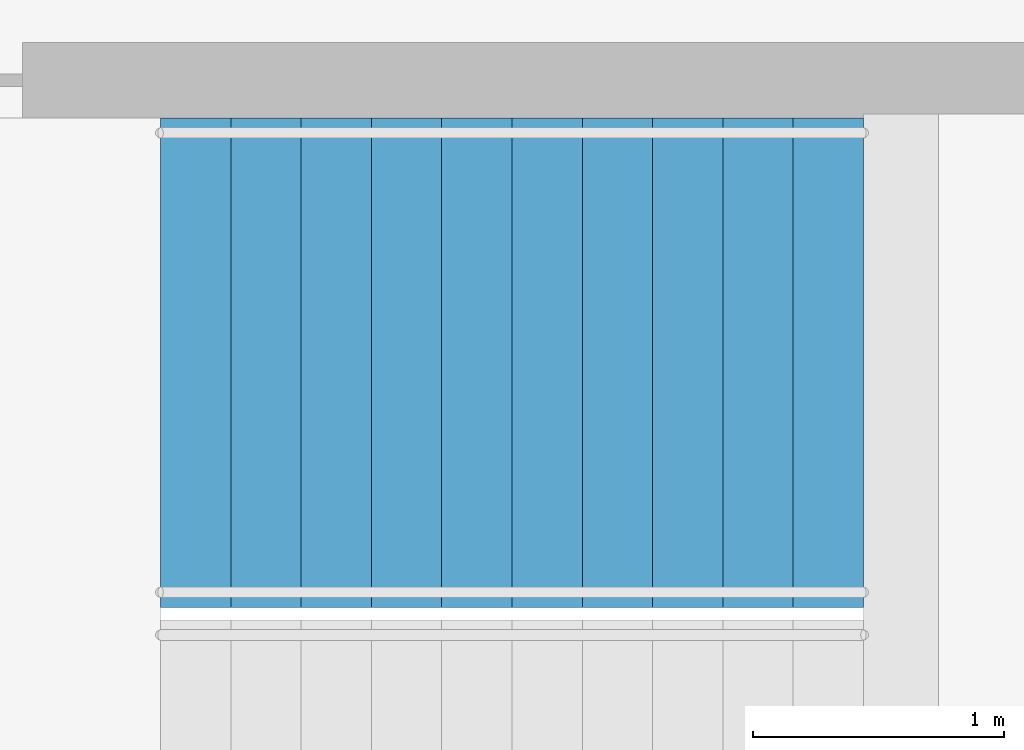
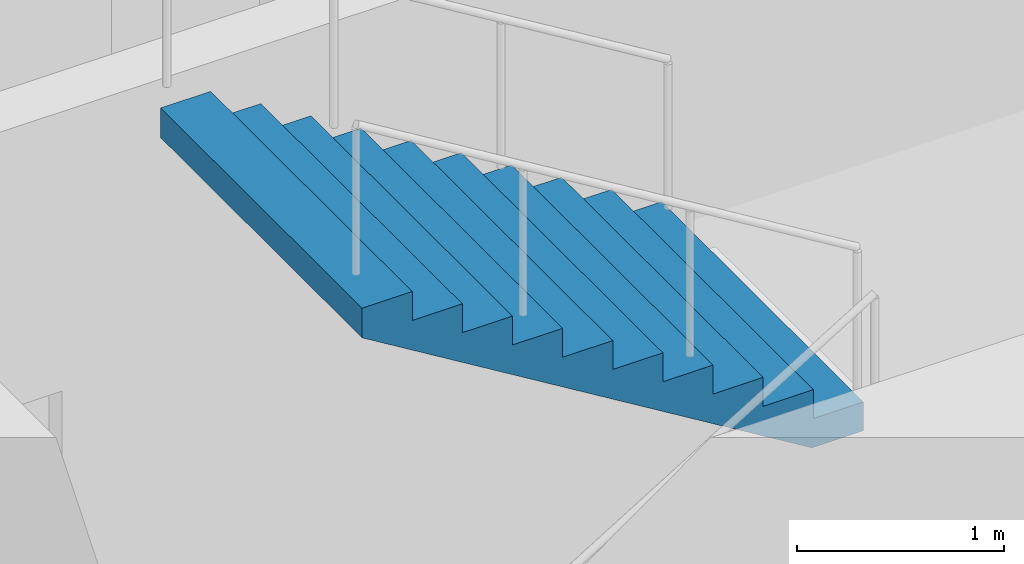
# One storey, part 19 of 22: 1 stair flight, 1 element without a shape of its own.
"""IFC4 building model written with IfcOpenShell, lengths in metres."""

from ifc_helpers import new_model, si_unit, direction, frame, origin, place, context, subcontext, project, spatial, triangles, material, type_object, element, aggregate, save


model = new_model("IFC4")

# Units and contexts
model_context = context("Model", 3, precision=1e-05, world=origin(), true_north=direction((0.0, 1.0)))
body_context = subcontext(model_context, "Body", "Model", "MODEL_VIEW")
ifc_project = project(units=[si_unit("LENGTHUNIT", "METRE"), si_unit("AREAUNIT", "SQUARE_METRE"), si_unit("VOLUMEUNIT", "CUBIC_METRE"), si_unit("PLANEANGLEUNIT", "RADIAN"), si_unit("MASSUNIT", "GRAM", prefix="KILO")], contexts=[model_context])

# Site, building, storey
site_placement = place(None, origin())
site = spatial("IfcSite", under=ifc_project, at=site_placement, CompositionType="ELEMENT")
building_placement = place(site_placement, origin())
building = spatial("IfcBuilding", under=site, at=building_placement, Name="Orbita Commons", CompositionType="ELEMENT")
storey_placement = place(building_placement, frame((0.0, 0.0, 57.699951171875)))
storey = spatial("IfcBuildingStorey", under=building, at=storey_placement, Name="L14", CompositionType="ELEMENT", Elevation=57.699951171875)

# Stair, stair flight
ifc_material_1 = material(Name="Precast concrete C40/50", Category="concrete")
stair_type = type_object("IfcStairType", Name="Exit stair S1 2 flights 11 risers 170", PredefinedType="HALF_TURN_STAIR", material=ifc_material_1)
stair_placement = place(storey_placement, origin())
stair = element("IfcStair", 1, at=stair_placement, inside=storey, type_object=stair_type, Name="Exit stair S1 L14", PredefinedType="HALF_TURN_STAIR")
ifc_material_2 = material(Name="Precast concrete C40/50", Category="concrete")
stair_flight_type = type_object("IfcStairFlightType", Name="Stair flight 11 risers 170 x 280", PredefinedType="STRAIGHT", material=ifc_material_2)
stair_flight_placement = place(storey_placement, frame((23.25, 29.27490234375, 1.875), z_axis=(0.0, 0.0, 1.0), x_axis=(-1.0, 0.0, 0.0)))
stair_flight = element("IfcStairFlight", 2, at=stair_flight_placement, type_object=stair_flight_type, Name="S1 flight 2", NumberOfRisers=11, NumberOfTreads=10, PredefinedType="STRAIGHT", RiserHeight=0.170454545, TreadLength=0.28, context=body_context, shape_type="Tessellation", body=[
    triangles([(0.0, 0.974976, 0.0), (0.0, 0.974976, 0.021307), (0.0, 0.81248, 0.021307), (0.0, 0.81248, 0.0), (0.0, 0.649984, 0.021307), (0.0, 0.649984, 0.0), (0.0, 0.487488, 0.021307), (0.0, 0.487488, 0.0), (0.0, 0.324992, 0.021307), (0.0, 0.324992, 0.0), (0.0, 0.162496, 0.021307), (0.0, 0.162496, 0.0), (0.0, 0.0, 0.021307), (0.0, 0.0, 0.0), (0.0, -0.162496, 0.021307), (0.0, -0.162496, 0.0), (0.0, -0.324992, 0.021307), (0.0, -0.324992, 0.0), (0.0, -0.487488, 0.021307), (0.0, -0.487488, 0.0), (0.0, -0.649984, 0.021307), (0.0, -0.649984, 0.0), (0.0, -0.81248, 0.021307), (0.0, -0.81248, 0.0), (0.0, -0.974976, 0.021307), (0.0, -0.974976, 0.0), (0.0, 0.974976, 0.042614), (0.0, 0.81248, 0.042614), (0.0, 0.649984, 0.042614), (0.0, 0.487488, 0.042614), (0.0, 0.324992, 0.042614), (0.0, 0.162496, 0.042614), (0.0, 0.0, 0.042614), (0.0, -0.162496, 0.042614), (0.0, -0.324992, 0.042614), (0.0, -0.487488, 0.042614), (0.0, -0.649984, 0.042614), (0.0, -0.81248, 0.042614), (0.0, -0.974976, 0.042614), (0.0, 0.974976, 0.06392), (0.0, 0.81248, 0.06392), (0.0, 0.649984, 0.06392), (0.0, 0.487488, 0.06392), (0.0, 0.324992, 0.06392), (0.0, 0.162496, 0.06392), (0.0, 0.0, 0.06392), (0.0, -0.162496, 0.06392), (0.0, -0.324992, 0.06392), (0.0, -0.487488, 0.06392), (0.0, -0.649984, 0.06392), (0.0, -0.81248, 0.06392), (0.0, -0.974976, 0.06392), (0.0, 0.974976, 0.085227), (0.0, 0.81248, 0.085227), (0.0, 0.649984, 0.085227), (0.0, 0.487488, 0.085227), (0.0, 0.324992, 0.085227), (0.0, 0.162496, 0.085227), (0.0, 0.0, 0.085227), (0.0, -0.162496, 0.085227), (0.0, -0.324992, 0.085227), (0.0, -0.487488, 0.085227), (0.0, -0.649984, 0.085227), (0.0, -0.81248, 0.085227), (0.0, -0.974976, 0.085227), (0.0, 0.974976, 0.106534), (0.0, 0.81248, 0.106534), (0.0, 0.649984, 0.106534), (0.0, 0.487488, 0.106534), (0.0, 0.324992, 0.106534), (0.0, 0.162496, 0.106534), (0.0, 0.0, 0.106534), (0.0, -0.162496, 0.106534), (0.0, -0.324992, 0.106534), (0.0, -0.487488, 0.106534), (0.0, -0.649984, 0.106534), (0.0, -0.81248, 0.106534), (0.0, -0.974976, 0.106534), (0.0, 0.974976, 0.127841), (0.0, 0.81248, 0.127841), (0.0, 0.649984, 0.127841), (0.0, 0.487488, 0.127841), (0.0, 0.324992, 0.127841), (0.0, 0.162496, 0.127841), (0.0, 0.0, 0.127841), (0.0, -0.162496, 0.127841), (0.0, -0.324992, 0.127841), (0.0, -0.487488, 0.127841), (0.0, -0.649984, 0.127841), (0.0, -0.81248, 0.127841), (0.0, -0.974976, 0.127841), (0.0, 0.974976, 0.149148), (0.0, 0.81248, 0.149148), (0.0, 0.649984, 0.149148), (0.0, 0.487488, 0.149148), (0.0, 0.324992, 0.149148), (0.0, 0.162496, 0.149148), (0.0, 0.0, 0.149148), (0.0, -0.162496, 0.149148), (0.0, -0.324992, 0.149148), (0.0, -0.487488, 0.149148), (0.0, -0.649984, 0.149148), (0.0, -0.81248, 0.149148), (0.0, -0.974976, 0.149148), (0.0, 0.974976, 0.170455), (0.0, 0.81248, 0.170455), (0.0, 0.649984, 0.170455), (0.0, 0.487488, 0.170455), (0.0, 0.324992, 0.170455), (0.0, 0.162496, 0.170455), (0.0, 0.0, 0.170455), (0.0, -0.162496, 0.170455), (0.0, -0.324992, 0.170455), (0.0, -0.487488, 0.170455), (0.0, -0.649984, 0.170455), (0.0, -0.81248, 0.170455), (0.0, -0.974976, 0.170455), (0.28, 0.974976, 0.170455), (0.28, 0.81248, 0.170455), (0.28, 0.649984, 0.170455), (0.28, 0.487488, 0.170455), (0.28, 0.324992, 0.170455), (0.28, 0.162496, 0.170455), (0.28, 0.0, 0.170455), (0.28, -0.162496, 0.170455), (0.28, -0.324992, 0.170455), (0.28, -0.487488, 0.170455), (0.28, -0.649984, 0.170455), (0.28, -0.81248, 0.170455), (0.28, -0.974976, 0.170455), (0.28, 0.974976, 0.340909), (0.28, 0.81248, 0.340909), (0.28, 0.649984, 0.340909), (0.28, 0.487488, 0.340909), (0.28, 0.324992, 0.340909), (0.28, 0.162496, 0.340909), (0.28, 0.0, 0.340909), (0.28, -0.162496, 0.340909), (0.28, -0.324992, 0.340909), (0.28, -0.487488, 0.340909), (0.28, -0.649984, 0.340909), (0.28, -0.81248, 0.340909), (0.28, -0.974976, 0.340909), (0.56, 0.974976, 0.340909), (0.56, 0.81248, 0.340909), (0.56, 0.649984, 0.340909), (0.56, 0.487488, 0.340909), (0.56, 0.324992, 0.340909), (0.56, 0.162496, 0.340909), (0.56, 0.0, 0.340909), (0.56, -0.162496, 0.340909), (0.56, -0.324992, 0.340909), (0.56, -0.487488, 0.340909), (0.56, -0.649984, 0.340909), (0.56, -0.81248, 0.340909), (0.56, -0.974976, 0.340909), (0.56, 0.974976, 0.511364), (0.56, 0.81248, 0.511364), (0.56, 0.649984, 0.511364), (0.56, 0.487488, 0.511364), (0.56, 0.324992, 0.511364), (0.56, 0.162496, 0.511364), (0.56, 0.0, 0.511364), (0.56, -0.162496, 0.511364), (0.56, -0.324992, 0.511364), (0.56, -0.487488, 0.511364), (0.56, -0.649984, 0.511364), (0.56, -0.81248, 0.511364), (0.56, -0.974976, 0.511364), (0.84, 0.974976, 0.511364), (0.84, 0.81248, 0.511364), (0.84, 0.649984, 0.511364), (0.84, 0.487488, 0.511364), (0.84, 0.324992, 0.511364), (0.84, 0.162496, 0.511364), (0.84, 0.0, 0.511364), (0.84, -0.162496, 0.511364), (0.84, -0.324992, 0.511364), (0.84, -0.487488, 0.511364), (0.84, -0.649984, 0.511364), (0.84, -0.81248, 0.511364), (0.84, -0.974976, 0.511364), (0.84, 0.974976, 0.681818), (0.84, 0.81248, 0.681818), (0.84, 0.649984, 0.681818), (0.84, 0.487488, 0.681818), (0.84, 0.324992, 0.681818), (0.84, 0.162496, 0.681818), (0.84, 0.0, 0.681818), (0.84, -0.162496, 0.681818), (0.84, -0.324992, 0.681818), (0.84, -0.487488, 0.681818), (0.84, -0.649984, 0.681818), (0.84, -0.81248, 0.681818), (0.84, -0.974976, 0.681818), (1.12, 0.974976, 0.681818), (1.12, 0.81248, 0.681818), (1.12, 0.649984, 0.681818), (1.12, 0.487488, 0.681818), (1.12, 0.324992, 0.681818), (1.12, 0.162496, 0.681818), (1.12, 0.0, 0.681818), (1.12, -0.162496, 0.681818), (1.12, -0.324992, 0.681818), (1.12, -0.487488, 0.681818), (1.12, -0.649984, 0.681818), (1.12, -0.81248, 0.681818), (1.12, -0.974976, 0.681818), (1.12, 0.974976, 0.852273), (1.12, 0.81248, 0.852273), (1.12, 0.649984, 0.852273), (1.12, 0.487488, 0.852273), (1.12, 0.324992, 0.852273), (1.12, 0.162496, 0.852273), (1.12, 0.0, 0.852273), (1.12, -0.162496, 0.852273), (1.12, -0.324992, 0.852273), (1.12, -0.487488, 0.852273), (1.12, -0.649984, 0.852273), (1.12, -0.81248, 0.852273), (1.12, -0.974976, 0.852273), (1.4, 0.974976, 0.852273), (1.4, 0.81248, 0.852273), (1.4, 0.649984, 0.852273), (1.4, 0.487488, 0.852273), (1.4, 0.324992, 0.852273), (1.4, 0.162496, 0.852273), (1.4, 0.0, 0.852273), (1.4, -0.162496, 0.852273), (1.4, -0.324992, 0.852273), (1.4, -0.487488, 0.852273), (1.4, -0.649984, 0.852273), (1.4, -0.81248, 0.852273), (1.4, -0.974976, 0.852273), (1.4, 0.974976, 1.022727), (1.4, 0.81248, 1.022727), (1.4, 0.649984, 1.022727), (1.4, 0.487488, 1.022727), (1.4, 0.324992, 1.022727), (1.4, 0.162496, 1.022727), (1.4, 0.0, 1.022727), (1.4, -0.162496, 1.022727), (1.4, -0.324992, 1.022727), (1.4, -0.487488, 1.022727), (1.4, -0.649984, 1.022727), (1.4, -0.81248, 1.022727), (1.4, -0.974976, 1.022727), (1.68, 0.974976, 1.022727), (1.68, 0.81248, 1.022727), (1.68, 0.649984, 1.022727), (1.68, 0.487488, 1.022727), (1.68, 0.324992, 1.022727), (1.68, 0.162496, 1.022727), (1.68, 0.0, 1.022727), (1.68, -0.162496, 1.022727), (1.68, -0.324992, 1.022727), (1.68, -0.487488, 1.022727), (1.68, -0.649984, 1.022727), (1.68, -0.81248, 1.022727), (1.68, -0.974976, 1.022727), (1.68, 0.974976, 1.193182), (1.68, 0.81248, 1.193182), (1.68, 0.649984, 1.193182), (1.68, 0.487488, 1.193182), (1.68, 0.324992, 1.193182), (1.68, 0.162496, 1.193182), (1.68, 0.0, 1.193182), (1.68, -0.162496, 1.193182), (1.68, -0.324992, 1.193182), (1.68, -0.487488, 1.193182), (1.68, -0.649984, 1.193182), (1.68, -0.81248, 1.193182), (1.68, -0.974976, 1.193182), (1.96, 0.974976, 1.193182), (1.96, 0.81248, 1.193182), (1.96, 0.649984, 1.193182), (1.96, 0.487488, 1.193182), (1.96, 0.324992, 1.193182), (1.96, 0.162496, 1.193182), (1.96, 0.0, 1.193182), (1.96, -0.162496, 1.193182), (1.96, -0.324992, 1.193182), (1.96, -0.487488, 1.193182), (1.96, -0.649984, 1.193182), (1.96, -0.81248, 1.193182), (1.96, -0.974976, 1.193182), (1.96, 0.974976, 1.363636), (1.96, 0.81248, 1.363636), (1.96, 0.649984, 1.363636), (1.96, 0.487488, 1.363636), (1.96, 0.324992, 1.363636), (1.96, 0.162496, 1.363636), (1.96, 0.0, 1.363636), (1.96, -0.162496, 1.363636), (1.96, -0.324992, 1.363636), (1.96, -0.487488, 1.363636), (1.96, -0.649984, 1.363636), (1.96, -0.81248, 1.363636), (1.96, -0.974976, 1.363636), (2.24, 0.974976, 1.363636), (2.24, 0.81248, 1.363636), (2.24, 0.649984, 1.363636), (2.24, 0.487488, 1.363636), (2.24, 0.324992, 1.363636), (2.24, 0.162496, 1.363636), (2.24, 0.0, 1.363636), (2.24, -0.162496, 1.363636), (2.24, -0.324992, 1.363636), (2.24, -0.487488, 1.363636), (2.24, -0.649984, 1.363636), (2.24, -0.81248, 1.363636), (2.24, -0.974976, 1.363636), (2.24, 0.974976, 1.534091), (2.24, 0.81248, 1.534091), (2.24, 0.649984, 1.534091), (2.24, 0.487488, 1.534091), (2.24, 0.324992, 1.534091), (2.24, 0.162496, 1.534091), (2.24, 0.0, 1.534091), (2.24, -0.162496, 1.534091), (2.24, -0.324992, 1.534091), (2.24, -0.487488, 1.534091), (2.24, -0.649984, 1.534091), (2.24, -0.81248, 1.534091), (2.24, -0.974976, 1.534091), (2.52, 0.974976, 1.534091), (2.52, 0.81248, 1.534091), (2.52, 0.649984, 1.534091), (2.52, 0.487488, 1.534091), (2.52, 0.324992, 1.534091), (2.52, 0.162496, 1.534091), (2.52, 0.0, 1.534091), (2.52, -0.162496, 1.534091), (2.52, -0.324992, 1.534091), (2.52, -0.487488, 1.534091), (2.52, -0.649984, 1.534091), (2.52, -0.81248, 1.534091), (2.52, -0.974976, 1.534091), (2.52, 0.974976, 1.704545), (2.52, 0.81248, 1.704545), (2.52, 0.649984, 1.704545), (2.52, 0.487488, 1.704545), (2.52, 0.324992, 1.704545), (2.52, 0.162496, 1.704545), (2.52, 0.0, 1.704545), (2.52, -0.162496, 1.704545), (2.52, -0.324992, 1.704545), (2.52, -0.487488, 1.704545), (2.52, -0.649984, 1.704545), (2.52, -0.81248, 1.704545), (2.52, -0.974976, 1.704545), (2.8, 0.974976, 1.704545), (2.8, 0.81248, 1.704545), (2.8, 0.649984, 1.704545), (2.8, 0.487488, 1.704545), (2.8, 0.324992, 1.704545), (2.8, 0.162496, 1.704545), (2.8, 0.0, 1.704545), (2.8, -0.162496, 1.704545), (2.8, -0.324992, 1.704545), (2.8, -0.487488, 1.704545), (2.8, -0.649984, 1.704545), (2.8, -0.81248, 1.704545), (2.8, -0.974976, 1.704545), (2.8, 0.974976, 1.682609), (2.8, 0.81248, 1.682609), (2.8, 0.649984, 1.682609), (2.8, 0.487488, 1.682609), (2.8, 0.324992, 1.682609), (2.8, 0.162496, 1.682609), (2.8, 0.0, 1.682609), (2.8, -0.162496, 1.682609), (2.8, -0.324992, 1.682609), (2.8, -0.487488, 1.682609), (2.8, -0.649984, 1.682609), (2.8, -0.81248, 1.682609), (2.8, -0.974976, 1.682609), (2.8, 0.974976, 1.660672), (2.8, 0.81248, 1.660672), (2.8, 0.649984, 1.660672), (2.8, 0.487488, 1.660672), (2.8, 0.324992, 1.660672), (2.8, 0.162496, 1.660672), (2.8, 0.0, 1.660672), (2.8, -0.162496, 1.660672), (2.8, -0.324992, 1.660672), (2.8, -0.487488, 1.660672), (2.8, -0.649984, 1.660672), (2.8, -0.81248, 1.660672), (2.8, -0.974976, 1.660672), (2.8, 0.974976, 1.638735), (2.8, 0.81248, 1.638735), (2.8, 0.649984, 1.638735), (2.8, 0.487488, 1.638735), (2.8, 0.324992, 1.638735), (2.8, 0.162496, 1.638735), (2.8, 0.0, 1.638735), (2.8, -0.162496, 1.638735), (2.8, -0.324992, 1.638735), (2.8, -0.487488, 1.638735), (2.8, -0.649984, 1.638735), (2.8, -0.81248, 1.638735), (2.8, -0.974976, 1.638735), (2.8, 0.974976, 1.616798), (2.8, 0.81248, 1.616798), (2.8, 0.649984, 1.616798), (2.8, 0.487488, 1.616798), (2.8, 0.324992, 1.616798), (2.8, 0.162496, 1.616798), (2.8, 0.0, 1.616798), (2.8, -0.162496, 1.616798), (2.8, -0.324992, 1.616798), (2.8, -0.487488, 1.616798), (2.8, -0.649984, 1.616798), (2.8, -0.81248, 1.616798), (2.8, -0.974976, 1.616798), (2.8, 0.974976, 1.594861), (2.8, 0.81248, 1.594861), (2.8, 0.649984, 1.594861), (2.8, 0.487488, 1.594861), (2.8, 0.324992, 1.594861), (2.8, 0.162496, 1.594861), (2.8, 0.0, 1.594861), (2.8, -0.162496, 1.594861), (2.8, -0.324992, 1.594861), (2.8, -0.487488, 1.594861), (2.8, -0.649984, 1.594861), (2.8, -0.81248, 1.594861), (2.8, -0.974976, 1.594861), (2.8, 0.974976, 1.572925), (2.8, 0.81248, 1.572925), (2.8, 0.649984, 1.572925), (2.8, 0.487488, 1.572925), (2.8, 0.324992, 1.572925), (2.8, 0.162496, 1.572925), (2.8, 0.0, 1.572925), (2.8, -0.162496, 1.572925), (2.8, -0.324992, 1.572925), (2.8, -0.487488, 1.572925), (2.8, -0.649984, 1.572925), (2.8, -0.81248, 1.572925), (2.8, -0.974976, 1.572925), (2.8, 0.974976, 1.550988), (2.8, 0.81248, 1.550988), (2.8, 0.649984, 1.550988), (2.8, 0.487488, 1.550988), (2.8, 0.324992, 1.550988), (2.8, 0.162496, 1.550988), (2.8, 0.0, 1.550988), (2.8, -0.162496, 1.550988), (2.8, -0.324992, 1.550988), (2.8, -0.487488, 1.550988), (2.8, -0.649984, 1.550988), (2.8, -0.81248, 1.550988), (2.8, -0.974976, 1.550988), (2.8, 0.974976, 1.529051), (2.8, 0.81248, 1.529051), (2.8, 0.649984, 1.529051), (2.8, 0.487488, 1.529051), (2.8, 0.324992, 1.529051), (2.8, 0.162496, 1.529051), (2.8, 0.0, 1.529051), (2.8, -0.162496, 1.529051), (2.8, -0.324992, 1.529051), (2.8, -0.487488, 1.529051), (2.8, -0.649984, 1.529051), (2.8, -0.81248, 1.529051), (2.8, -0.974976, 1.529051), (0.288279, 0.974976, 0.0), (0.288279, 0.81248, 0.0), (0.288279, 0.649984, 0.0), (0.288279, 0.487488, 0.0), (0.288279, 0.324992, 0.0), (0.288279, 0.162496, 0.0), (0.288279, 0.0, 0.0), (0.288279, -0.162496, 0.0), (0.288279, -0.324992, 0.0), (0.288279, -0.487488, 0.0), (0.288279, -0.649984, 0.0), (0.288279, -0.81248, 0.0), (0.288279, -0.974976, 0.0)], [[3, 2, 1], [4, 3, 1], [5, 3, 4], [6, 5, 4], [7, 5, 6], [8, 7, 6], [9, 7, 8], [10, 9, 8], [11, 9, 10], [12, 11, 10], [13, 11, 12], [14, 13, 12], [15, 13, 14], [16, 15, 14], [17, 15, 16], [18, 17, 16], [19, 17, 18], [20, 19, 18], [21, 19, 20], [22, 21, 20], [23, 21, 22], [24, 23, 22], [25, 23, 24], [26, 25, 24], [28, 27, 2], [3, 28, 2], [29, 28, 3], [5, 29, 3], [30, 29, 5], [7, 30, 5], [31, 30, 7], [9, 31, 7], [32, 31, 9], [11, 32, 9], [33, 32, 11], [13, 33, 11], [34, 33, 13], [15, 34, 13], [35, 34, 15], [17, 35, 15], [36, 35, 17], [19, 36, 17], [37, 36, 19], [21, 37, 19], [38, 37, 21], [23, 38, 21], [39, 38, 23], [25, 39, 23], [41, 40, 27], [28, 41, 27], [42, 41, 28], [29, 42, 28], [43, 42, 29], [30, 43, 29], [44, 43, 30], [31, 44, 30], [45, 44, 31], [32, 45, 31], [46, 45, 32], [33, 46, 32], [47, 46, 33], [34, 47, 33], [48, 47, 34], [35, 48, 34], [49, 48, 35], [36, 49, 35], [50, 49, 36], [37, 50, 36], [51, 50, 37], [38, 51, 37], [52, 51, 38], [39, 52, 38], [54, 53, 40], [41, 54, 40], [55, 54, 41], [42, 55, 41], [56, 55, 42], [43, 56, 42], [57, 56, 43], [44, 57, 43], [58, 57, 44], [45, 58, 44], [59, 58, 45], [46, 59, 45], [60, 59, 46], [47, 60, 46], [61, 60, 47], [48, 61, 47], [62, 61, 48], [49, 62, 48], [63, 62, 49], [50, 63, 49], [64, 63, 50], [51, 64, 50], [65, 64, 51], [52, 65, 51], [67, 66, 53], [54, 67, 53], [68, 67, 54], [55, 68, 54], [69, 68, 55], [56, 69, 55], [70, 69, 56], [57, 70, 56], [71, 70, 57], [58, 71, 57], [72, 71, 58], [59, 72, 58], [73, 72, 59], [60, 73, 59], [74, 73, 60], [61, 74, 60], [75, 74, 61], [62, 75, 61], [76, 75, 62], [63, 76, 62], [77, 76, 63], [64, 77, 63], [78, 77, 64], [65, 78, 64], [80, 79, 66], [67, 80, 66], [81, 80, 67], [68, 81, 67], [82, 81, 68], [69, 82, 68], [83, 82, 69], [70, 83, 69], [84, 83, 70], [71, 84, 70], [85, 84, 71], [72, 85, 71], [86, 85, 72], [73, 86, 72], [87, 86, 73], [74, 87, 73], [88, 87, 74], [75, 88, 74], [89, 88, 75], [76, 89, 75], [90, 89, 76], [77, 90, 76], [91, 90, 77], [78, 91, 77], [93, 92, 79], [80, 93, 79], [94, 93, 80], [81, 94, 80], [95, 94, 81], [82, 95, 81], [96, 95, 82], [83, 96, 82], [97, 96, 83], [84, 97, 83], [98, 97, 84], [85, 98, 84], [99, 98, 85], [86, 99, 85], [100, 99, 86], [87, 100, 86], [101, 100, 87], [88, 101, 87], [102, 101, 88], [89, 102, 88], [103, 102, 89], [90, 103, 89], [104, 103, 90], [91, 104, 90], [106, 105, 92], [93, 106, 92], [107, 106, 93], [94, 107, 93], [108, 107, 94], [95, 108, 94], [109, 108, 95], [96, 109, 95], [110, 109, 96], [97, 110, 96], [111, 110, 97], [98, 111, 97], [112, 111, 98], [99, 112, 98], [113, 112, 99], [100, 113, 99], [114, 113, 100], [101, 114, 100], [115, 114, 101], [102, 115, 101], [116, 115, 102], [103, 116, 102], [117, 116, 103], [104, 117, 103], [119, 118, 105], [106, 119, 105], [120, 119, 106], [107, 120, 106], [121, 120, 107], [108, 121, 107], [122, 121, 108], [109, 122, 108], [123, 122, 109], [110, 123, 109], [124, 123, 110], [111, 124, 110], [125, 124, 111], [112, 125, 111], [126, 125, 112], [113, 126, 112], [127, 126, 113], [114, 127, 113], [128, 127, 114], [115, 128, 114], [129, 128, 115], [116, 129, 115], [130, 129, 116], [117, 130, 116], [132, 131, 118], [119, 132, 118], [133, 132, 119], [120, 133, 119], [134, 133, 120], [121, 134, 120], [135, 134, 121], [122, 135, 121], [136, 135, 122], [123, 136, 122], [137, 136, 123], [124, 137, 123], [138, 137, 124], [125, 138, 124], [139, 138, 125], [126, 139, 125], [140, 139, 126], [127, 140, 126], [141, 140, 127], [128, 141, 127], [142, 141, 128], [129, 142, 128], [143, 142, 129], [130, 143, 129], [145, 144, 131], [132, 145, 131], [146, 145, 132], [133, 146, 132], [147, 146, 133], [134, 147, 133], [148, 147, 134], [135, 148, 134], [149, 148, 135], [136, 149, 135], [150, 149, 136], [137, 150, 136], [151, 150, 137], [138, 151, 137], [152, 151, 138], [139, 152, 138], [153, 152, 139], [140, 153, 139], [154, 153, 140], [141, 154, 140], [155, 154, 141], [142, 155, 141], [156, 155, 142], [143, 156, 142], [158, 157, 144], [145, 158, 144], [159, 158, 145], [146, 159, 145], [160, 159, 146], [147, 160, 146], [161, 160, 147], [148, 161, 147], [162, 161, 148], [149, 162, 148], [163, 162, 149], [150, 163, 149], [164, 163, 150], [151, 164, 150], [165, 164, 151], [152, 165, 151], [166, 165, 152], [153, 166, 152], [167, 166, 153], [154, 167, 153], [168, 167, 154], [155, 168, 154], [169, 168, 155], [156, 169, 155], [171, 170, 157], [158, 171, 157], [172, 171, 158], [159, 172, 158], [173, 172, 159], [160, 173, 159], [174, 173, 160], [161, 174, 160], [175, 174, 161], [162, 175, 161], [176, 175, 162], [163, 176, 162], [177, 176, 163], [164, 177, 163], [178, 177, 164], [165, 178, 164], [179, 178, 165], [166, 179, 165], [180, 179, 166], [167, 180, 166], [181, 180, 167], [168, 181, 167], [182, 181, 168], [169, 182, 168], [184, 183, 170], [171, 184, 170], [185, 184, 171], [172, 185, 171], [186, 185, 172], [173, 186, 172], [187, 186, 173], [174, 187, 173], [188, 187, 174], [175, 188, 174], [189, 188, 175], [176, 189, 175], [190, 189, 176], [177, 190, 176], [191, 190, 177], [178, 191, 177], [192, 191, 178], [179, 192, 178], [193, 192, 179], [180, 193, 179], [194, 193, 180], [181, 194, 180], [195, 194, 181], [182, 195, 181], [197, 196, 183], [184, 197, 183], [198, 197, 184], [185, 198, 184], [199, 198, 185], [186, 199, 185], [200, 199, 186], [187, 200, 186], [201, 200, 187], [188, 201, 187], [202, 201, 188], [189, 202, 188], [203, 202, 189], [190, 203, 189], [204, 203, 190], [191, 204, 190], [205, 204, 191], [192, 205, 191], [206, 205, 192], [193, 206, 192], [207, 206, 193], [194, 207, 193], [208, 207, 194], [195, 208, 194], [210, 209, 196], [197, 210, 196], [211, 210, 197], [198, 211, 197], [212, 211, 198], [199, 212, 198], [213, 212, 199], [200, 213, 199], [214, 213, 200], [201, 214, 200], [215, 214, 201], [202, 215, 201], [216, 215, 202], [203, 216, 202], [217, 216, 203], [204, 217, 203], [218, 217, 204], [205, 218, 204], [219, 218, 205], [206, 219, 205], [220, 219, 206], [207, 220, 206], [221, 220, 207], [208, 221, 207], [223, 222, 209], [210, 223, 209], [224, 223, 210], [211, 224, 210], [225, 224, 211], [212, 225, 211], [226, 225, 212], [213, 226, 212], [227, 226, 213], [214, 227, 213], [228, 227, 214], [215, 228, 214], [229, 228, 215], [216, 229, 215], [230, 229, 216], [217, 230, 216], [231, 230, 217], [218, 231, 217], [232, 231, 218], [219, 232, 218], [233, 232, 219], [220, 233, 219], [234, 233, 220], [221, 234, 220], [236, 235, 222], [223, 236, 222], [237, 236, 223], [224, 237, 223], [238, 237, 224], [225, 238, 224], [239, 238, 225], [226, 239, 225], [240, 239, 226], [227, 240, 226], [241, 240, 227], [228, 241, 227], [242, 241, 228], [229, 242, 228], [243, 242, 229], [230, 243, 229], [244, 243, 230], [231, 244, 230], [245, 244, 231], [232, 245, 231], [246, 245, 232], [233, 246, 232], [247, 246, 233], [234, 247, 233], [249, 248, 235], [236, 249, 235], [250, 249, 236], [237, 250, 236], [251, 250, 237], [238, 251, 237], [252, 251, 238], [239, 252, 238], [253, 252, 239], [240, 253, 239], [254, 253, 240], [241, 254, 240], [255, 254, 241], [242, 255, 241], [256, 255, 242], [243, 256, 242], [257, 256, 243], [244, 257, 243], [258, 257, 244], [245, 258, 244], [259, 258, 245], [246, 259, 245], [260, 259, 246], [247, 260, 246], [262, 261, 248], [249, 262, 248], [263, 262, 249], [250, 263, 249], [264, 263, 250], [251, 264, 250], [265, 264, 251], [252, 265, 251], [266, 265, 252], [253, 266, 252], [267, 266, 253], [254, 267, 253], [268, 267, 254], [255, 268, 254], [269, 268, 255], [256, 269, 255], [270, 269, 256], [257, 270, 256], [271, 270, 257], [258, 271, 257], [272, 271, 258], [259, 272, 258], [273, 272, 259], [260, 273, 259], [275, 274, 261], [262, 275, 261], [276, 275, 262], [263, 276, 262], [277, 276, 263], [264, 277, 263], [278, 277, 264], [265, 278, 264], [279, 278, 265], [266, 279, 265], [280, 279, 266], [267, 280, 266], [281, 280, 267], [268, 281, 267], [282, 281, 268], [269, 282, 268], [283, 282, 269], [270, 283, 269], [284, 283, 270], [271, 284, 270], [285, 284, 271], [272, 285, 271], [286, 285, 272], [273, 286, 272], [288, 287, 274], [275, 288, 274], [289, 288, 275], [276, 289, 275], [290, 289, 276], [277, 290, 276], [291, 290, 277], [278, 291, 277], [292, 291, 278], [279, 292, 278], [293, 292, 279], [280, 293, 279], [294, 293, 280], [281, 294, 280], [295, 294, 281], [282, 295, 281], [296, 295, 282], [283, 296, 282], [297, 296, 283], [284, 297, 283], [298, 297, 284], [285, 298, 284], [299, 298, 285], [286, 299, 285], [301, 300, 287], [288, 301, 287], [302, 301, 288], [289, 302, 288], [303, 302, 289], [290, 303, 289], [304, 303, 290], [291, 304, 290], [305, 304, 291], [292, 305, 291], [306, 305, 292], [293, 306, 292], [307, 306, 293], [294, 307, 293], [308, 307, 294], [295, 308, 294], [309, 308, 295], [296, 309, 295], [310, 309, 296], [297, 310, 296], [311, 310, 297], [298, 311, 297], [312, 311, 298], [299, 312, 298], [314, 313, 300], [301, 314, 300], [315, 314, 301], [302, 315, 301], [316, 315, 302], [303, 316, 302], [317, 316, 303], [304, 317, 303], [318, 317, 304], [305, 318, 304], [319, 318, 305], [306, 319, 305], [320, 319, 306], [307, 320, 306], [321, 320, 307], [308, 321, 307], [322, 321, 308], [309, 322, 308], [323, 322, 309], [310, 323, 309], [324, 323, 310], [311, 324, 310], [325, 324, 311], [312, 325, 311], [327, 326, 313], [314, 327, 313], [328, 327, 314], [315, 328, 314], [329, 328, 315], [316, 329, 315], [330, 329, 316], [317, 330, 316], [331, 330, 317], [318, 331, 317], [332, 331, 318], [319, 332, 318], [333, 332, 319], [320, 333, 319], [334, 333, 320], [321, 334, 320], [335, 334, 321], [322, 335, 321], [336, 335, 322], [323, 336, 322], [337, 336, 323], [324, 337, 323], [338, 337, 324], [325, 338, 324], [340, 339, 326], [327, 340, 326], [341, 340, 327], [328, 341, 327], [342, 341, 328], [329, 342, 328], [343, 342, 329], [330, 343, 329], [344, 343, 330], [331, 344, 330], [345, 344, 331], [332, 345, 331], [346, 345, 332], [333, 346, 332], [347, 346, 333], [334, 347, 333], [348, 347, 334], [335, 348, 334], [349, 348, 335], [336, 349, 335], [350, 349, 336], [337, 350, 336], [351, 350, 337], [338, 351, 337], [353, 352, 339], [340, 353, 339], [354, 353, 340], [341, 354, 340], [355, 354, 341], [342, 355, 341], [356, 355, 342], [343, 356, 342], [357, 356, 343], [344, 357, 343], [358, 357, 344], [345, 358, 344], [359, 358, 345], [346, 359, 345], [360, 359, 346], [347, 360, 346], [361, 360, 347], [348, 361, 347], [362, 361, 348], [349, 362, 348], [363, 362, 349], [350, 363, 349], [364, 363, 350], [351, 364, 350], [366, 365, 352], [353, 366, 352], [367, 366, 353], [354, 367, 353], [368, 367, 354], [355, 368, 354], [369, 368, 355], [356, 369, 355], [370, 369, 356], [357, 370, 356], [371, 370, 357], [358, 371, 357], [372, 371, 358], [359, 372, 358], [373, 372, 359], [360, 373, 359], [374, 373, 360], [361, 374, 360], [375, 374, 361], [362, 375, 361], [376, 375, 362], [363, 376, 362], [377, 376, 363], [364, 377, 363], [379, 378, 365], [366, 379, 365], [380, 379, 366], [367, 380, 366], [381, 380, 367], [368, 381, 367], [382, 381, 368], [369, 382, 368], [383, 382, 369], [370, 383, 369], [384, 383, 370], [371, 384, 370], [385, 384, 371], [372, 385, 371], [386, 385, 372], [373, 386, 372], [387, 386, 373], [374, 387, 373], [388, 387, 374], [375, 388, 374], [389, 388, 375], [376, 389, 375], [390, 389, 376], [377, 390, 376], [392, 391, 378], [379, 392, 378], [393, 392, 379], [380, 393, 379], [394, 393, 380], [381, 394, 380], [395, 394, 381], [382, 395, 381], [396, 395, 382], [383, 396, 382], [397, 396, 383], [384, 397, 383], [398, 397, 384], [385, 398, 384], [399, 398, 385], [386, 399, 385], [400, 399, 386], [387, 400, 386], [401, 400, 387], [388, 401, 387], [402, 401, 388], [389, 402, 388], [403, 402, 389], [390, 403, 389], [405, 404, 391], [392, 405, 391], [406, 405, 392], [393, 406, 392], [407, 406, 393], [394, 407, 393], [408, 407, 394], [395, 408, 394], [409, 408, 395], [396, 409, 395], [410, 409, 396], [397, 410, 396], [411, 410, 397], [398, 411, 397], [412, 411, 398], [399, 412, 398], [413, 412, 399], [400, 413, 399], [414, 413, 400], [401, 414, 400], [415, 414, 401], [402, 415, 401], [416, 415, 402], [403, 416, 402], [418, 417, 404], [405, 418, 404], [419, 418, 405], [406, 419, 405], [420, 419, 406], [407, 420, 406], [421, 420, 407], [408, 421, 407], [422, 421, 408], [409, 422, 408], [423, 422, 409], [410, 423, 409], [424, 423, 410], [411, 424, 410], [425, 424, 411], [412, 425, 411], [426, 425, 412], [413, 426, 412], [427, 426, 413], [414, 427, 413], [428, 427, 414], [415, 428, 414], [429, 428, 415], [416, 429, 415], [431, 430, 417], [418, 431, 417], [432, 431, 418], [419, 432, 418], [433, 432, 419], [420, 433, 419], [434, 433, 420], [421, 434, 420], [435, 434, 421], [422, 435, 421], [436, 435, 422], [423, 436, 422], [437, 436, 423], [424, 437, 423], [438, 437, 424], [425, 438, 424], [439, 438, 425], [426, 439, 425], [440, 439, 426], [427, 440, 426], [441, 440, 427], [428, 441, 427], [442, 441, 428], [429, 442, 428], [444, 443, 430], [431, 444, 430], [445, 444, 431], [432, 445, 431], [446, 445, 432], [433, 446, 432], [447, 446, 433], [434, 447, 433], [448, 447, 434], [435, 448, 434], [449, 448, 435], [436, 449, 435], [450, 449, 436], [437, 450, 436], [451, 450, 437], [438, 451, 437], [452, 451, 438], [439, 452, 438], [453, 452, 439], [440, 453, 439], [454, 453, 440], [441, 454, 440], [455, 454, 441], [442, 455, 441], [457, 456, 443], [444, 457, 443], [458, 457, 444], [445, 458, 444], [459, 458, 445], [446, 459, 445], [460, 459, 446], [447, 460, 446], [461, 460, 447], [448, 461, 447], [462, 461, 448], [449, 462, 448], [463, 462, 449], [450, 463, 449], [464, 463, 450], [451, 464, 450], [465, 464, 451], [452, 465, 451], [466, 465, 452], [453, 466, 452], [467, 466, 453], [454, 467, 453], [468, 467, 454], [455, 468, 454], [470, 469, 456], [457, 470, 456], [471, 470, 457], [458, 471, 457], [472, 471, 458], [459, 472, 458], [473, 472, 459], [460, 473, 459], [474, 473, 460], [461, 474, 460], [475, 474, 461], [462, 475, 461], [476, 475, 462], [463, 476, 462], [477, 476, 463], [464, 477, 463], [478, 477, 464], [465, 478, 464], [479, 478, 465], [466, 479, 465], [480, 479, 466], [467, 480, 466], [481, 480, 467], [468, 481, 467], [4, 1, 469], [470, 4, 469], [6, 4, 470], [471, 6, 470], [8, 6, 471], [472, 8, 471], [10, 8, 472], [473, 10, 472], [12, 10, 473], [474, 12, 473], [14, 12, 474], [475, 14, 474], [16, 14, 475], [476, 16, 475], [18, 16, 476], [477, 18, 476], [20, 18, 477], [478, 20, 477], [22, 20, 478], [479, 22, 478], [24, 22, 479], [480, 24, 479], [26, 24, 480], [481, 26, 480], [456, 469, 1], [26, 481, 468], [443, 456, 1], [26, 468, 455], [430, 443, 1], [26, 455, 442], [417, 430, 1], [26, 442, 429], [404, 417, 1], [26, 429, 416], [391, 404, 1], [26, 416, 403], [378, 391, 1], [26, 403, 390], [365, 378, 1], [26, 390, 377], [339, 352, 365], [377, 364, 351], [326, 339, 365], [377, 351, 338], [300, 313, 326], [338, 325, 312], [300, 326, 365], [377, 338, 312], [274, 287, 300], [312, 299, 286], [274, 300, 365], [377, 312, 286], [248, 261, 274], [286, 273, 260], [248, 274, 365], [377, 286, 260], [222, 235, 248], [260, 247, 234], [222, 248, 365], [377, 260, 234], [196, 209, 222], [234, 221, 208], [196, 222, 365], [377, 234, 208], [170, 183, 196], [208, 195, 182], [170, 196, 365], [377, 208, 182], [144, 157, 170], [182, 169, 156], [144, 170, 365], [377, 182, 156], [118, 131, 144], [156, 143, 130], [118, 144, 365], [377, 156, 130], [118, 365, 1], [26, 377, 130], [92, 105, 118], [130, 117, 104], [79, 92, 118], [130, 104, 91], [66, 79, 118], [130, 91, 78], [53, 66, 118], [130, 78, 65], [40, 53, 118], [130, 65, 52], [27, 40, 118], [130, 52, 39], [2, 27, 118], [130, 39, 25], [1, 2, 118], [130, 25, 26]], closed=True),
])
aggregate(stair, [stair_flight])

save(model, "model.ifc")
